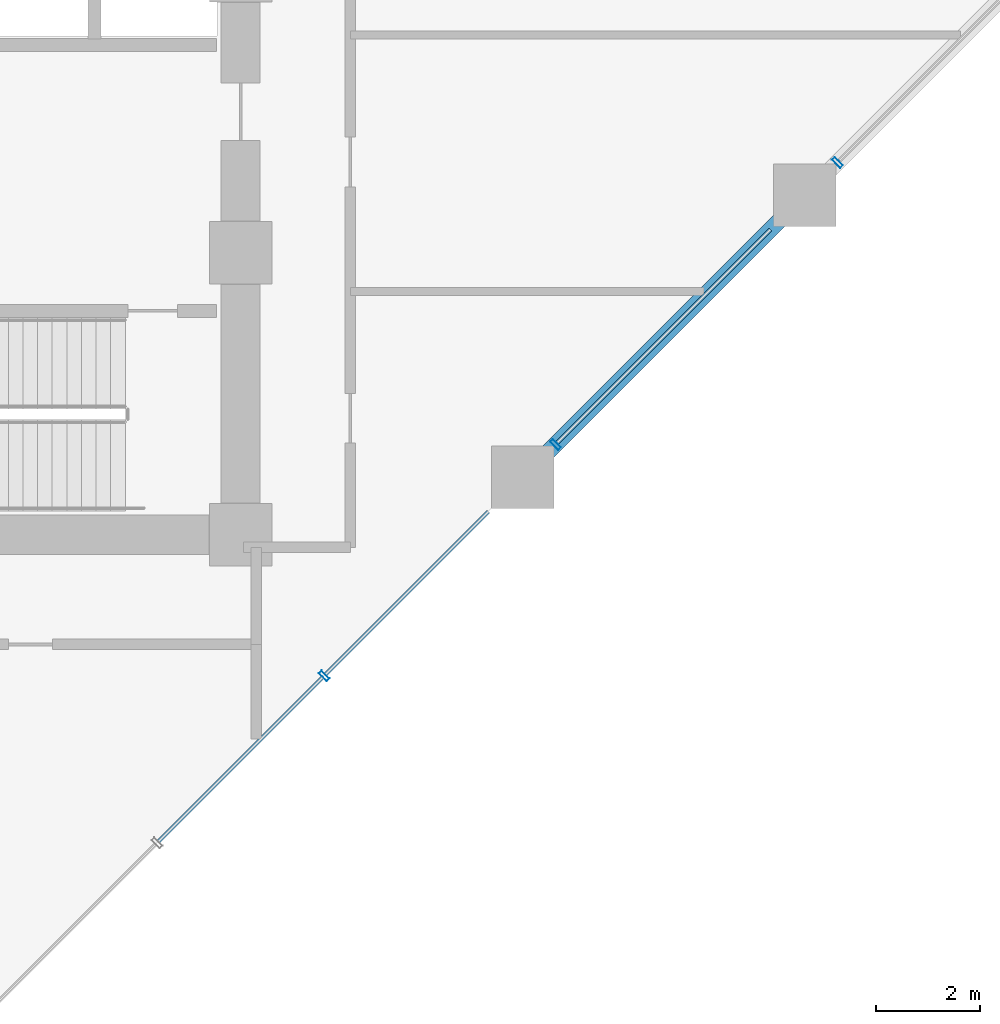
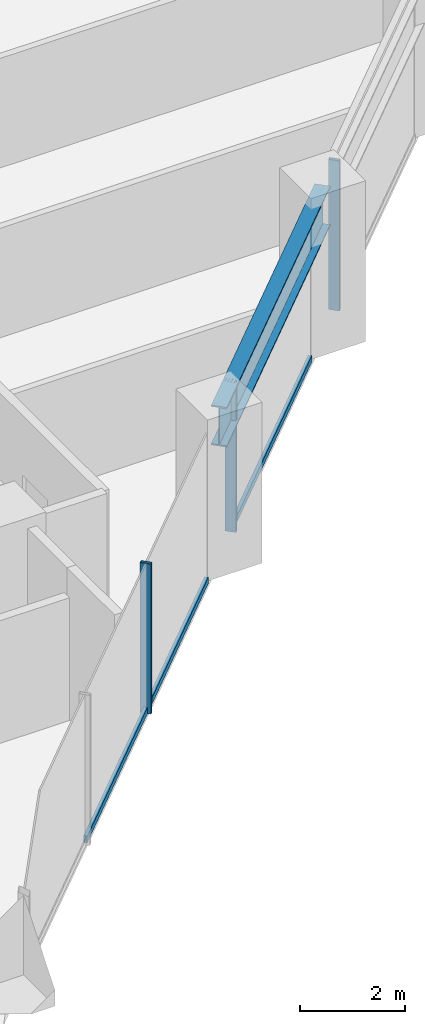
# One storey, part 8 of 26: 6 members, 1 beam, 1 element without a shape of its own.
"""IFC4 building model written with IfcOpenShell, lengths in metres."""

from ifc_helpers import new_model, si_unit, direction, frame, origin, origin_2d, place, context, subcontext, project, spatial, hollow_rectangle, i_section, extrude, material, layer, layer_set, material_profile, profile_set, type_object, element, aggregate, save


model = new_model("IFC4")

# Units and contexts
model_context = context("Model", 3, precision=1e-05, world=origin(), true_north=direction((0.0, 1.0)))
body_context = subcontext(model_context, "Body", "Model", "MODEL_VIEW")
ifc_project = project(units=[si_unit("LENGTHUNIT", "METRE"), si_unit("AREAUNIT", "SQUARE_METRE"), si_unit("VOLUMEUNIT", "CUBIC_METRE"), si_unit("PLANEANGLEUNIT", "RADIAN"), si_unit("MASSUNIT", "GRAM", prefix="KILO")], contexts=[model_context])

# Site, building, storey
site_placement = place(None, origin())
site = spatial("IfcSite", under=ifc_project, at=site_placement, CompositionType="ELEMENT")
building_placement = place(site_placement, origin())
building = spatial("IfcBuilding", under=site, at=building_placement, Name="Surkhivell Harbour Commons", CompositionType="ELEMENT")
storey_placement = place(building_placement, frame((0.0, 0.0, 75.0)))
storey = spatial("IfcBuildingStorey", under=building, at=storey_placement, Name="L19", CompositionType="ELEMENT", Elevation=75.0)

# Beam
ifc_material_1 = material(Name="Steel S460", Category="steel")
ifc_material_profile_1 = material_profile(ifc_material_1, i_section(OverallWidth=0.30810546875, OverallDepth=0.927001953125, WebThickness=0.01953125, FlangeThickness=0.031982421875, at=origin_2d()), Name="UB914x305x289")
ifc_profile_set_1 = profile_set([ifc_material_profile_1], Name="Steel S460")
beam_type = type_object("IfcBeamType", Name="BM-SPN-914B", PredefinedType="SPANDREL", material=ifc_profile_set_1)
beam_placement = place(storey_placement, frame((16.199951171875, -9.699951171875, 3.03662109375), z_axis=(0.707122765516, 0.707090796496, 0.0), x_axis=(-0.707090796496, 0.707122765516, 0.0)))
element("IfcBeam", 1, at=beam_placement, inside=storey, type_object=beam_type, Name="L19 Tube Spandrel (16.2,-9.7)", PredefinedType="SPANDREL", context=body_context, shape_type="SweptSolid", body=[
    extrude(i_section(OverallWidth=0.30810546875, OverallDepth=0.927001953125, WebThickness=0.01953125, FlangeThickness=0.031982421875, at=origin_2d()), origin(), (0.0, 0.0, 1.0), 7.63671875),
])

# Curtain wall, members
ifc_material_2 = material(Name="Anodised pale-metal aluminium and insulated glazing", Category="aluminium")
ifc_layer = layer(ifc_material_2, 0.219970703125)
ifc_layer_set = layer_set([ifc_layer], Name="Anodised pale-metal aluminium and insulated glazing")
curtain_wall_type = type_object("IfcCurtainWallType", Name="CW-SYS-Z1", PredefinedType="NOTDEFINED", material=ifc_layer_set)
curtain_wall_placement = place(storey_placement, origin())
curtain_wall = element("IfcCurtainWall", 2, at=curtain_wall_placement, inside=storey, type_object=curtain_wall_type, Name="L19 Curtain Wall CW-L19-E01", PredefinedType="NOTDEFINED")
ifc_material_3 = material(Name="Anodised pale-metal aluminium alloy 6063-T6", Category="aluminium")
ifc_material_profile_2 = material_profile(ifc_material_3, hollow_rectangle(XDim=0.074951171875, YDim=0.219970703125, WallThickness=0.00390625, at=origin_2d()), Name="ALU-MULL-75x220")
ifc_profile_set_2 = profile_set([ifc_material_profile_2], Name="Anodised pale-metal aluminium alloy 6063-T6")
member_type_1 = type_object("IfcMemberType", Name="CWM-220", PredefinedType="MULLION", material=ifc_profile_set_2)
member_1_placement = place(storey_placement, frame((12.3994140625, -13.50048828125, 0.0), z_axis=(0.0, 0.0, 1.0), x_axis=(0.707106781187, 0.707106781187, 0.0)))
member_1 = element("IfcMember", 3, at=member_1_placement, type_object=member_type_1, Name="CW-Z1 mullion 4", PredefinedType="MULLION", context=body_context, shape_type="SweptSolid", body=[
    extrude(hollow_rectangle(XDim=0.074951171875, YDim=0.219970703125, WallThickness=0.00390625, at=origin_2d()), origin(), (0.0, 0.0, 1.0), 3.5),
])
member_2_placement = place(storey_placement, frame((16.828369140625, -9.07177734375, 0.0), z_axis=(0.0, 0.0, 1.0), x_axis=(0.707106781187, 0.707106781187, 0.0)))
member_2 = element("IfcMember", 4, at=member_2_placement, type_object=member_type_1, Name="CW-Z1 mullion 5", PredefinedType="MULLION", context=body_context, shape_type="SweptSolid", body=[
    extrude(hollow_rectangle(XDim=0.074951171875, YDim=0.219970703125, WallThickness=0.00390625, at=origin_2d()), origin(), (0.0, 0.0, 1.0), 3.5),
])
member_3_placement = place(storey_placement, frame((22.228271484375, -3.671630859375, 0.0), z_axis=(0.0, 0.0, 1.0), x_axis=(0.707106781187, 0.707106781187, 0.0)))
member_3 = element("IfcMember", 5, at=member_3_placement, type_object=member_type_1, Name="CW-Z1 mullion 6", PredefinedType="MULLION", context=body_context, shape_type="SweptSolid", body=[
    extrude(hollow_rectangle(XDim=0.074951171875, YDim=0.219970703125, WallThickness=0.00390625, at=origin_2d()), origin(), (0.0, 0.0, 1.0), 3.5),
])
ifc_material_profile_3 = material_profile(ifc_material_3, hollow_rectangle(XDim=0.074951171875, YDim=0.14990234375, WallThickness=0.00341796875, at=origin_2d()), Name="ALU-TRAN-75x150")
ifc_profile_set_3 = profile_set([ifc_material_profile_3], Name="Anodised pale-metal aluminium alloy 6063-T6")
member_type_2 = type_object("IfcMemberType", Name="CWT-150", PredefinedType="USERDEFINED", material=ifc_profile_set_3)
member_4_placement = place(storey_placement, frame((9.22705078125, -16.6728515625, 0.074951171875), z_axis=(0.707106781187, 0.707106781187, 0.0), x_axis=(-0.707106781187, 0.707106781187, 0.0)))
member_4 = element("IfcMember", 6, at=member_4_placement, type_object=member_type_2, Name="CW-Z1 transom 3.1", ObjectType="TRANSOM", PredefinedType="USERDEFINED", context=body_context, shape_type="SweptSolid", body=[
    extrude(hollow_rectangle(XDim=0.074951171875, YDim=0.14990234375, WallThickness=0.00341796875, at=origin_2d()), origin(), (0.0, 0.0, 1.0), 4.44873046875),
])
member_5_placement = place(storey_placement, frame((12.426025390625, -13.47412109375, 0.074951171875), z_axis=(0.707079108482, 0.707134452808, 0.0), x_axis=(-0.707134452808, 0.707079108482, 0.0)))
member_5 = element("IfcMember", 7, at=member_5_placement, type_object=member_type_2, Name="CW-Z1 transom 4.1", ObjectType="TRANSOM", PredefinedType="USERDEFINED", context=body_context, shape_type="SweptSolid", body=[
    extrude(hollow_rectangle(XDim=0.074951171875, YDim=0.14990234375, WallThickness=0.00341796875, at=origin_2d()), origin(), (0.0, 0.0, 1.0), 4.411376953125),
])
member_6_placement = place(storey_placement, frame((16.854736328125, -9.045166015625, 0.074951171875), z_axis=(0.707127882868, 0.707085678876, 0.0), x_axis=(-0.707085678876, 0.707127882868, 0.0)))
member_6 = element("IfcMember", 8, at=member_6_placement, type_object=member_type_2, Name="CW-Z1 transom 5.1", ObjectType="TRANSOM", PredefinedType="USERDEFINED", context=body_context, shape_type="SweptSolid", body=[
    extrude(hollow_rectangle(XDim=0.074951171875, YDim=0.14990234375, WallThickness=0.00341796875, at=origin_2d()), origin(), (0.0, 0.0, 1.0), 5.78466796875),
])
aggregate(curtain_wall, [member_1, member_4, member_5, member_2, member_6, member_3])

save(model, "model.ifc")
